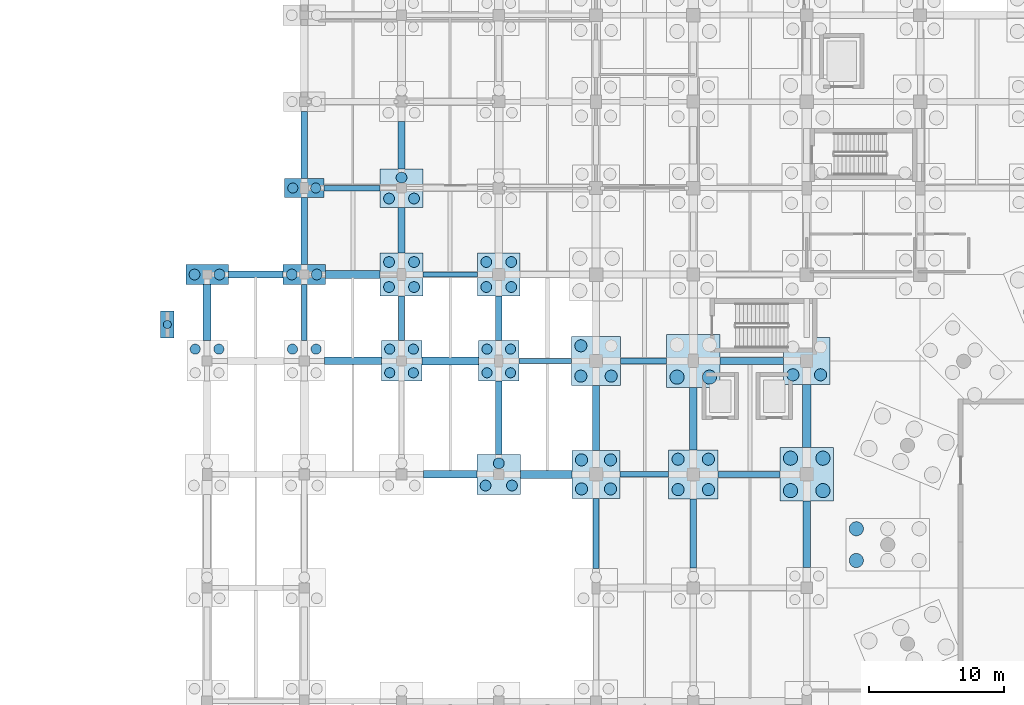
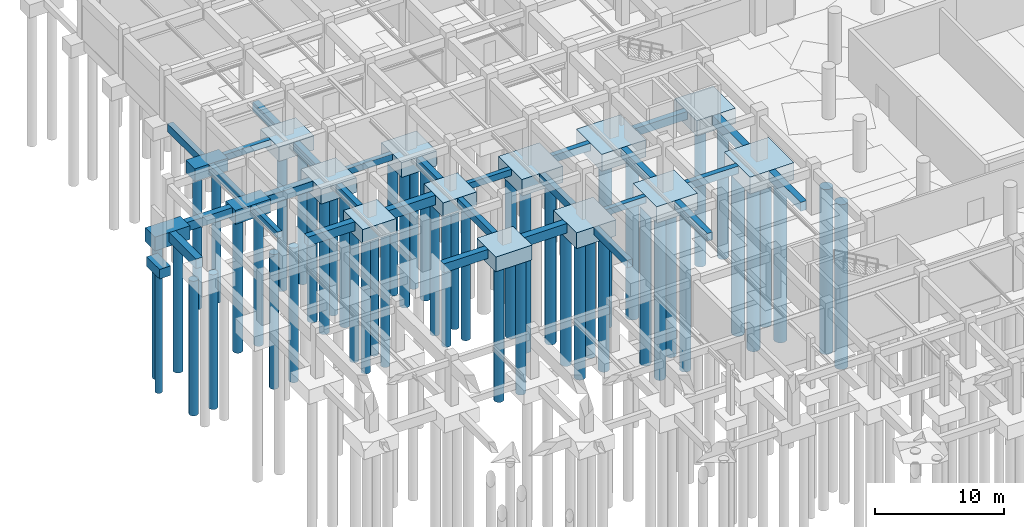
# One storey, part 6 of 44: 54 piles, 44 footings.
"""IFC4 building model written with IfcOpenShell, lengths in metres."""

from ifc_helpers import new_model, si_unit, direction, frame, origin, origin_2d, place, context, subcontext, project, spatial, rectangle, circle, extrude, material, material_profile, profile_set, type_object, element, save


model = new_model("IFC4")

# Units and contexts
model_context = context("Model", 3, precision=1e-05, world=origin(), true_north=direction((0.0, 1.0)))
body_context = subcontext(model_context, "Body", "Model", "MODEL_VIEW")
ifc_project = project(units=[si_unit("LENGTHUNIT", "METRE"), si_unit("AREAUNIT", "SQUARE_METRE"), si_unit("VOLUMEUNIT", "CUBIC_METRE"), si_unit("PLANEANGLEUNIT", "RADIAN"), si_unit("MASSUNIT", "GRAM", prefix="KILO")], contexts=[model_context])

# Site, building, storey
site_placement = place(None, origin())
site = spatial("IfcSite", under=ifc_project, at=site_placement, CompositionType="ELEMENT")
building_placement = place(site_placement, origin())
building = spatial("IfcBuilding", under=site, at=building_placement, Name="Korsvaeld Concert Hall", CompositionType="ELEMENT")
storey_placement = place(building_placement, frame((0.0, 0.0, -4.800048828125)))
storey = spatial("IfcBuildingStorey", under=building, at=storey_placement, Name="B1", CompositionType="ELEMENT", Elevation=-4.800048828125)

# Footings
ifc_material_1 = material(Name="Concrete C35/45", Category="concrete")
ifc_material_profile_1 = material_profile(ifc_material_1, rectangle(XDim=0.39990234375, YDim=0.60009765625, at=origin_2d()), Name="GTB 400x600")
ifc_profile_set_1 = profile_set([ifc_material_profile_1], Name="Concrete C35/45")
footing_type_1 = type_object("IfcFootingType", Name="GTB-400x600", PredefinedType="FOOTING_BEAM", material=ifc_profile_set_1)
footing_1_placement = place(storey_placement, frame((44.97509765625, 68.39990234375, -0.300048828125), z_axis=(1.0, 0.0, 0.0), x_axis=(0.0, 1.0, 0.0)))
element("IfcFooting", 1, at=footing_1_placement, inside=storey, type_object=footing_type_1, Name="Ground tie beam 7-8/K", PredefinedType="FOOTING_BEAM", context=body_context, shape_type="SweptSolid", body=[
    extrude(rectangle(XDim=0.39990234375, YDim=0.60009765625, at=origin_2d()), origin(), (0.0, 0.0, 1.0), 3.599853515625),
])
footing_2_placement = place(storey_placement, frame((37.5, 76.800048828125, -0.300048828125), z_axis=(1.0, 0.0, 0.0), x_axis=(0.0, 1.0, 0.0)))
element("IfcFooting", 2, at=footing_2_placement, inside=storey, type_object=footing_type_1, Name="Ground tie beam 6-7/L", PredefinedType="FOOTING_BEAM", context=body_context, shape_type="SweptSolid", body=[
    extrude(rectangle(XDim=0.39990234375, YDim=0.60009765625, at=origin_2d()), origin(), (0.0, 0.0, 1.0), 3.875),
])
footing_3_placement = place(storey_placement, frame((30.375, 83.199951171875, -0.300048828125), z_axis=(1.0, 0.0, 0.0), x_axis=(0.0, 1.0, 0.0)))
element("IfcFooting", 3, at=footing_3_placement, inside=storey, type_object=footing_type_1, Name="Ground tie beam 5-6/M", PredefinedType="FOOTING_BEAM", context=body_context, shape_type="SweptSolid", body=[
    extrude(rectangle(XDim=0.39990234375, YDim=0.60009765625, at=origin_2d()), origin(), (0.0, 0.0, 1.0), 4.050048828125),
])
footing_4_placement = place(storey_placement, frame((23.074951171875, 89.60009765625, -0.300048828125), z_axis=(1.0, 0.0, 0.0), x_axis=(0.0, 1.0, 0.0)))
element("IfcFooting", 4, at=footing_4_placement, inside=storey, type_object=footing_type_1, Name="Ground tie beam 4-5/N", PredefinedType="FOOTING_BEAM", context=body_context, shape_type="SweptSolid", body=[
    extrude(rectangle(XDim=0.39990234375, YDim=0.60009765625, at=origin_2d()), origin(), (0.0, 0.0, 1.0), 4.150146484375),
])
footing_5_placement = place(storey_placement, frame((21.60009765625, 78.300048828125, -0.300048828125), z_axis=(0.0, 1.0, 0.0), x_axis=(-1.0, 0.0, 0.0)))
element("IfcFooting", 5, at=footing_5_placement, inside=storey, type_object=footing_type_1, Name="Ground tie beam 4/L-M", PredefinedType="FOOTING_BEAM", context=body_context, shape_type="SweptSolid", body=[
    extrude(rectangle(XDim=0.39990234375, YDim=0.60009765625, at=origin_2d()), origin(), (0.0, 0.0, 1.0), 4.14990234375),
])
ifc_material_profile_2 = material_profile(ifc_material_1, rectangle(XDim=0.449951171875, YDim=0.699951171875, at=origin_2d()), Name="GTB 450x700")
ifc_profile_set_2 = profile_set([ifc_material_profile_2], Name="Concrete C35/45")
footing_type_2 = type_object("IfcFootingType", Name="GTB-450x700", PredefinedType="FOOTING_BEAM", material=ifc_profile_set_2)
footing_6_placement = place(storey_placement, frame((52.22509765625, 68.39990234375, -0.349853515625), z_axis=(1.0, 0.0, 0.0), x_axis=(0.0, 1.0, 0.0)))
element("IfcFooting", 6, at=footing_6_placement, inside=storey, type_object=footing_type_2, Name="Ground tie beam 8-9/K", PredefinedType="FOOTING_BEAM", context=body_context, shape_type="SweptSolid", body=[
    extrude(rectangle(XDim=0.449951171875, YDim=0.699951171875, at=origin_2d()), origin(), (0.0, 0.0, 1.0), 4.599853515625),
])
footing_7_placement = place(storey_placement, frame((45.02490234375, 76.800048828125, -0.349853515625), z_axis=(1.0, 0.0, 0.0), x_axis=(0.0, 1.0, 0.0)))
element("IfcFooting", 7, at=footing_7_placement, inside=storey, type_object=footing_type_2, Name="Ground tie beam 7-8/L", PredefinedType="FOOTING_BEAM", context=body_context, shape_type="SweptSolid", body=[
    extrude(rectangle(XDim=0.449951171875, YDim=0.699951171875, at=origin_2d()), origin(), (0.0, 0.0, 1.0), 3.400146484375),
])
footing_8_placement = place(storey_placement, frame((21.60009765625, 83.949951171875, -0.349853515625), z_axis=(0.0, 1.0, 0.0), x_axis=(-1.0, 0.0, 0.0)))
element("IfcFooting", 8, at=footing_8_placement, inside=storey, type_object=footing_type_2, Name="Ground tie beam 4/M-N", PredefinedType="FOOTING_BEAM", context=body_context, shape_type="SweptSolid", body=[
    extrude(rectangle(XDim=0.449951171875, YDim=0.699951171875, at=origin_2d()), origin(), (0.0, 0.0, 1.0), 4.949951171875),
])
footing_9_placement = place(storey_placement, frame((28.800048828125, 78.300048828125, -0.349853515625), z_axis=(0.0, 1.0, 0.0), x_axis=(-1.0, 0.0, 0.0)))
element("IfcFooting", 9, at=footing_9_placement, inside=storey, type_object=footing_type_2, Name="Ground tie beam 5/L-M", PredefinedType="FOOTING_BEAM", context=body_context, shape_type="SweptSolid", body=[
    extrude(rectangle(XDim=0.449951171875, YDim=0.699951171875, at=origin_2d()), origin(), (0.0, 0.0, 1.0), 3.324951171875),
])
footing_10_placement = place(storey_placement, frame((36.0, 69.875, -0.349853515625), z_axis=(0.0, 1.0, 0.0), x_axis=(-1.0, 0.0, 0.0)))
element("IfcFooting", 10, at=footing_10_placement, inside=storey, type_object=footing_type_2, Name="Ground tie beam 6/K-L", PredefinedType="FOOTING_BEAM", context=body_context, shape_type="SweptSolid", body=[
    extrude(rectangle(XDim=0.449951171875, YDim=0.699951171875, at=origin_2d()), origin(), (0.0, 0.0, 1.0), 5.425048828125),
])
footing_11_placement = place(storey_placement, frame((43.199951171875, 61.425048828125, -0.349853515625), z_axis=(0.0, 1.0, 0.0), x_axis=(-1.0, 0.0, 0.0)))
element("IfcFooting", 11, at=footing_11_placement, inside=storey, type_object=footing_type_2, Name="Ground tie beam 7/J-K", PredefinedType="FOOTING_BEAM", context=body_context, shape_type="SweptSolid", body=[
    extrude(rectangle(XDim=0.449951171875, YDim=0.699951171875, at=origin_2d()), origin(), (0.0, 0.0, 1.0), 5.199951171875),
])
ifc_material_profile_3 = material_profile(ifc_material_1, rectangle(XDim=0.5, YDim=0.75, at=origin_2d()), Name="GTB 500x750")
ifc_profile_set_3 = profile_set([ifc_material_profile_3], Name="Concrete C35/45")
footing_type_3 = type_object("IfcFootingType", Name="GTB-500x750", PredefinedType="FOOTING_BEAM", material=ifc_profile_set_3)
footing_12_placement = place(storey_placement, frame((52.375, 76.800048828125, -0.375), z_axis=(1.0, 0.0, 0.0), x_axis=(0.0, 1.0, 0.0)))
element("IfcFooting", 12, at=footing_12_placement, inside=storey, type_object=footing_type_3, Name="Ground tie beam 8-9/L", PredefinedType="FOOTING_BEAM", context=body_context, shape_type="SweptSolid", body=[
    extrude(rectangle(XDim=0.5, YDim=0.75, at=origin_2d()), origin(), (0.0, 0.0, 1.0), 4.699951171875),
])
footing_13_placement = place(storey_placement, frame((21.60009765625, 90.300048828125, -0.375), z_axis=(0.0, 1.0, 0.0), x_axis=(-1.0, 0.0, 0.0)))
element("IfcFooting", 13, at=footing_13_placement, inside=storey, type_object=footing_type_3, Name="Ground tie beam 4/N-P", PredefinedType="FOOTING_BEAM", context=body_context, shape_type="SweptSolid", body=[
    extrude(rectangle(XDim=0.5, YDim=0.75, at=origin_2d()), origin(), (0.0, 0.0, 1.0), 4.974853515625),
])
footing_14_placement = place(storey_placement, frame((28.800048828125, 84.77490234375, -0.375), z_axis=(0.0, 1.0, 0.0), x_axis=(-1.0, 0.0, 0.0)))
element("IfcFooting", 14, at=footing_14_placement, inside=storey, type_object=footing_type_3, Name="Ground tie beam 5/M-N", PredefinedType="FOOTING_BEAM", context=body_context, shape_type="SweptSolid", body=[
    extrude(rectangle(XDim=0.5, YDim=0.75, at=origin_2d()), origin(), (0.0, 0.0, 1.0), 3.400146484375),
])
footing_15_placement = place(storey_placement, frame((36.0, 78.300048828125, -0.375), z_axis=(0.0, 1.0, 0.0), x_axis=(-1.0, 0.0, 0.0)))
element("IfcFooting", 15, at=footing_15_placement, inside=storey, type_object=footing_type_3, Name="Ground tie beam 6/L-M", PredefinedType="FOOTING_BEAM", context=body_context, shape_type="SweptSolid", body=[
    extrude(rectangle(XDim=0.5, YDim=0.75, at=origin_2d()), origin(), (0.0, 0.0, 1.0), 3.324951171875),
])
footing_16_placement = place(storey_placement, frame((43.199951171875, 70.175048828125, -0.375), z_axis=(0.0, 1.0, 0.0), x_axis=(-1.0, 0.0, 0.0)))
element("IfcFooting", 16, at=footing_16_placement, inside=storey, type_object=footing_type_3, Name="Ground tie beam 7/K-L", PredefinedType="FOOTING_BEAM", context=body_context, shape_type="SweptSolid", body=[
    extrude(rectangle(XDim=0.5, YDim=0.75, at=origin_2d()), origin(), (0.0, 0.0, 1.0), 4.800048828125),
])
footing_17_placement = place(storey_placement, frame((50.39990234375, 61.47509765625, -0.375), z_axis=(0.0, 1.0, 0.0), x_axis=(-1.0, 0.0, 0.0)))
element("IfcFooting", 17, at=footing_17_placement, inside=storey, type_object=footing_type_3, Name="Ground tie beam 8/J-K", PredefinedType="FOOTING_BEAM", context=body_context, shape_type="SweptSolid", body=[
    extrude(rectangle(XDim=0.5, YDim=0.75, at=origin_2d()), origin(), (0.0, 0.0, 1.0), 5.099853515625),
])
ifc_material_profile_4 = material_profile(ifc_material_1, rectangle(XDim=0.550048828125, YDim=0.85009765625, at=origin_2d()), Name="GTB 550x850")
ifc_profile_set_4 = profile_set([ifc_material_profile_4], Name="Concrete C35/45")
footing_type_4 = type_object("IfcFootingType", Name="GTB-550x850", PredefinedType="FOOTING_BEAM", material=ifc_profile_set_4)
footing_18_placement = place(storey_placement, frame((30.425048828125, 68.39990234375, -0.425048828125), z_axis=(1.0, 0.0, 0.0), x_axis=(0.0, 1.0, 0.0)))
element("IfcFooting", 18, at=footing_18_placement, inside=storey, type_object=footing_type_4, Name="Ground tie beam 5-6/K", PredefinedType="FOOTING_BEAM", context=body_context, shape_type="SweptSolid", body=[
    extrude(rectangle(XDim=0.550048828125, YDim=0.85009765625, at=origin_2d()), origin(), (0.0, 0.0, 1.0), 3.949951171875),
])
footing_19_placement = place(storey_placement, frame((23.10009765625, 76.800048828125, -0.425048828125), z_axis=(1.0, 0.0, 0.0), x_axis=(0.0, 1.0, 0.0)))
element("IfcFooting", 19, at=footing_19_placement, inside=storey, type_object=footing_type_4, Name="Ground tie beam 4-5/L", PredefinedType="FOOTING_BEAM", context=body_context, shape_type="SweptSolid", body=[
    extrude(rectangle(XDim=0.550048828125, YDim=0.85009765625, at=origin_2d()), origin(), (0.0, 0.0, 1.0), 4.199951171875),
])
footing_20_placement = place(storey_placement, frame((15.97509765625, 83.199951171875, -0.425048828125), z_axis=(1.0, 0.0, 0.0), x_axis=(0.0, 1.0, 0.0)))
element("IfcFooting", 20, at=footing_20_placement, inside=storey, type_object=footing_type_4, Name="Ground tie beam 3-4/M", PredefinedType="FOOTING_BEAM", context=body_context, shape_type="SweptSolid", body=[
    extrude(rectangle(XDim=0.550048828125, YDim=0.85009765625, at=origin_2d()), origin(), (0.0, 0.0, 1.0), 4.0498046875),
])
footing_21_placement = place(storey_placement, frame((28.800048828125, 91.02490234375, -0.425048828125), z_axis=(0.0, 1.0, 0.0), x_axis=(-1.0, 0.0, 0.0)))
element("IfcFooting", 21, at=footing_21_placement, inside=storey, type_object=footing_type_4, Name="Ground tie beam 5/N-P", PredefinedType="FOOTING_BEAM", context=body_context, shape_type="SweptSolid", body=[
    extrude(rectangle(XDim=0.550048828125, YDim=0.85009765625, at=origin_2d()), origin(), (0.0, 0.0, 1.0), 3.5),
])
footing_22_placement = place(storey_placement, frame((50.39990234375, 70.22509765625, -0.425048828125), z_axis=(0.0, 1.0, 0.0), x_axis=(-1.0, 0.0, 0.0)))
element("IfcFooting", 22, at=footing_22_placement, inside=storey, type_object=footing_type_4, Name="Ground tie beam 8/K-L", PredefinedType="FOOTING_BEAM", context=body_context, shape_type="SweptSolid", body=[
    extrude(rectangle(XDim=0.550048828125, YDim=0.85009765625, at=origin_2d()), origin(), (0.0, 0.0, 1.0), 4.599853515625),
])
footing_23_placement = place(storey_placement, frame((58.800048828125, 61.5, -0.425048828125), z_axis=(0.0, 1.0, 0.0), x_axis=(-1.0, 0.0, 0.0)))
element("IfcFooting", 23, at=footing_23_placement, inside=storey, type_object=footing_type_4, Name="Ground tie beam 9/J-K", PredefinedType="FOOTING_BEAM", context=body_context, shape_type="SweptSolid", body=[
    extrude(rectangle(XDim=0.550048828125, YDim=0.85009765625, at=origin_2d()), origin(), (0.0, 0.0, 1.0), 4.925048828125),
])
ifc_material_profile_5 = material_profile(ifc_material_1, rectangle(XDim=0.60009765625, YDim=0.89990234375, at=origin_2d()), Name="GTB 600x900")
ifc_profile_set_5 = profile_set([ifc_material_profile_5], Name="Concrete C35/45")
footing_type_5 = type_object("IfcFootingType", Name="GTB-600x900", PredefinedType="FOOTING_BEAM", material=ifc_profile_set_5)
footing_24_placement = place(storey_placement, frame((37.625, 68.39990234375, -0.449951171875), z_axis=(1.0, 0.0, 0.0), x_axis=(0.0, 1.0, 0.0)))
element("IfcFooting", 24, at=footing_24_placement, inside=storey, type_object=footing_type_5, Name="Ground tie beam 6-7/K", PredefinedType="FOOTING_BEAM", context=body_context, shape_type="SweptSolid", body=[
    extrude(rectangle(XDim=0.60009765625, YDim=0.89990234375, at=origin_2d()), origin(), (0.0, 0.0, 1.0), 3.800048828125),
])
footing_25_placement = place(storey_placement, frame((30.300048828125, 76.800048828125, -0.449951171875), z_axis=(1.0, 0.0, 0.0), x_axis=(0.0, 1.0, 0.0)))
element("IfcFooting", 25, at=footing_25_placement, inside=storey, type_object=footing_type_5, Name="Ground tie beam 5-6/L", PredefinedType="FOOTING_BEAM", context=body_context, shape_type="SweptSolid", body=[
    extrude(rectangle(XDim=0.60009765625, YDim=0.89990234375, at=origin_2d()), origin(), (0.0, 0.0, 1.0), 4.199951171875),
])
footing_26_placement = place(storey_placement, frame((23.175048828125, 83.199951171875, -0.449951171875), z_axis=(1.0, 0.0, 0.0), x_axis=(0.0, 1.0, 0.0)))
element("IfcFooting", 26, at=footing_26_placement, inside=storey, type_object=footing_type_5, Name="Ground tie beam 4-5/M", PredefinedType="FOOTING_BEAM", context=body_context, shape_type="SweptSolid", body=[
    extrude(rectangle(XDim=0.60009765625, YDim=0.89990234375, at=origin_2d()), origin(), (0.0, 0.0, 1.0), 4.050048828125),
])
footing_27_placement = place(storey_placement, frame((14.39990234375, 78.300048828125, -0.449951171875), z_axis=(0.0, 1.0, 0.0), x_axis=(-1.0, 0.0, 0.0)))
element("IfcFooting", 27, at=footing_27_placement, inside=storey, type_object=footing_type_5, Name="Ground tie beam 3/L-M", PredefinedType="FOOTING_BEAM", context=body_context, shape_type="SweptSolid", body=[
    extrude(rectangle(XDim=0.60009765625, YDim=0.89990234375, at=origin_2d()), origin(), (0.0, 0.0, 1.0), 4.14990234375),
])
footing_28_placement = place(storey_placement, frame((58.800048828125, 70.375, -0.449951171875), z_axis=(0.0, 1.0, 0.0), x_axis=(-1.0, 0.0, 0.0)))
element("IfcFooting", 28, at=footing_28_placement, inside=storey, type_object=footing_type_5, Name="Ground tie beam 9/K-L", PredefinedType="FOOTING_BEAM", context=body_context, shape_type="SweptSolid", body=[
    extrude(rectangle(XDim=0.60009765625, YDim=0.89990234375, at=origin_2d()), origin(), (0.0, 0.0, 1.0), 4.699951171875),
])
footing_type_6 = type_object("IfcFootingType", Name="PC-2P-240x130x120", PredefinedType="PILE_CAP", material=ifc_material_1)
footing_29_placement = place(storey_placement, frame((21.60009765625, 89.60009765625, -1.19970703125), z_axis=(0.0, 0.0, 1.0), x_axis=(1.0, 0.0, 0.0)))
element("IfcFooting", 29, at=footing_29_placement, inside=storey, type_object=footing_type_6, Name="Pile cap 4/N", PredefinedType="PILE_CAP", context=body_context, shape_type="SweptSolid", body=[
    extrude(rectangle(XDim=2.949951171875, YDim=1.39990234375, at=origin_2d()), origin(), (0.0, 0.0, 1.0), 1.199951171875),
])
footing_type_7 = type_object("IfcFootingType", Name="PC-2P-280x150x130", PredefinedType="PILE_CAP", material=ifc_material_1)
for number, where, z_axis, x_axis, name in (
    (30, (14.39990234375, 83.199951171875, -1.2998046875), (0.0, 0.0, 1.0), (1.0, 0.0, 0.0), "Pile cap 3/M"),
    (31, (21.60009765625, 83.199951171875, -1.2998046875), (0.0, 0.0, 1.0), (1.0, 0.0, 0.0), "Pile cap 4/M"),
):
    element("IfcFooting", number, at=place(storey_placement, frame(where, z_axis=z_axis, x_axis=x_axis)), inside=storey, type_object=footing_type_7, Name=name, PredefinedType="PILE_CAP", context=body_context, shape_type="SweptSolid", body=[
        extrude(rectangle(XDim=3.14990234375, YDim=1.5, at=origin_2d()), origin(), (0.0, 0.0, 1.0), 1.300048828125),
    ])
footing_type_8 = type_object("IfcFootingType", Name="PC-3P-290x260x135", PredefinedType="PILE_CAP", material=ifc_material_1)
footing_30_placement = place(storey_placement, frame((28.800048828125, 89.60009765625, -1.35009765625), z_axis=(0.0, 0.0, 1.0), x_axis=(1.0, 0.0, 0.0)))
element("IfcFooting", 32, at=footing_30_placement, inside=storey, type_object=footing_type_8, Name="Pile cap 5/N", PredefinedType="PILE_CAP", context=body_context, shape_type="SweptSolid", body=[
    extrude(rectangle(XDim=3.14990234375, YDim=2.85009765625, at=origin_2d()), origin(), (0.0, 0.0, 1.0), 1.35009765625),
])
footing_type_9 = type_object("IfcFootingType", Name="PC-3P-310x280x140", PredefinedType="PILE_CAP", material=ifc_material_1)
footing_31_placement = place(storey_placement, frame((36.0, 68.39990234375, -1.39990234375), z_axis=(0.0, 0.0, 1.0), x_axis=(1.0, 0.0, 0.0)))
element("IfcFooting", 33, at=footing_31_placement, inside=storey, type_object=footing_type_9, Name="Pile cap 6/K", PredefinedType="PILE_CAP", context=body_context, shape_type="SweptSolid", body=[
    extrude(rectangle(XDim=3.25, YDim=2.949951171875, at=origin_2d()), origin(), (0.0, 0.0, 1.0), 1.39990234375),
])
footing_type_10 = type_object("IfcFootingType", Name="PC-4P-280x280x135", PredefinedType="PILE_CAP", material=ifc_material_1)
for number, where, z_axis, x_axis, name in (
    (34, (28.800048828125, 76.800048828125, -1.35009765625), (0.0, 0.0, 1.0), (1.0, 0.0, 0.0), "Pile cap 5/L"),
    (35, (36.0, 76.800048828125, -1.35009765625), (0.0, 0.0, 1.0), (1.0, 0.0, 0.0), "Pile cap 6/L"),
):
    element("IfcFooting", number, at=place(storey_placement, frame(where, z_axis=z_axis, x_axis=x_axis)), inside=storey, type_object=footing_type_10, Name=name, PredefinedType="PILE_CAP", context=body_context, shape_type="SweptSolid", body=[
        extrude(rectangle(XDim=3.0, YDim=3.0, at=origin_2d()), origin(), (0.0, 0.0, 1.0), 1.35009765625),
    ])
footing_type_11 = type_object("IfcFootingType", Name="PC-4P-300x300x140", PredefinedType="PILE_CAP", material=ifc_material_1)
for number, where, z_axis, x_axis, name in (
    (36, (28.800048828125, 83.199951171875, -1.39990234375), (0.0, 0.0, 1.0), (1.0, 0.0, 0.0), "Pile cap 5/M"),
    (37, (36.0, 83.199951171875, -1.39990234375), (0.0, 0.0, 1.0), (1.0, 0.0, 0.0), "Pile cap 6/M"),
):
    element("IfcFooting", number, at=place(storey_placement, frame(where, z_axis=z_axis, x_axis=x_axis)), inside=storey, type_object=footing_type_11, Name=name, PredefinedType="PILE_CAP", context=body_context, shape_type="SweptSolid", body=[
        extrude(rectangle(XDim=3.14990234375, YDim=3.14990234375, at=origin_2d()), origin(), (0.0, 0.0, 1.0), 1.39990234375),
    ])
footing_type_12 = type_object("IfcFootingType", Name="PC-4P-320x320x145", PredefinedType="PILE_CAP", material=ifc_material_1)
footing_32_placement = place(storey_placement, frame((58.800048828125, 76.800048828125, -1.44970703125), z_axis=(0.0, 0.0, 1.0), x_axis=(1.0, 0.0, 0.0)))
element("IfcFooting", 38, at=footing_32_placement, inside=storey, type_object=footing_type_12, Name="Pile cap 9/L", PredefinedType="PILE_CAP", context=body_context, shape_type="SweptSolid", body=[
    extrude(rectangle(XDim=3.449951171875, YDim=3.449951171875, at=origin_2d()), origin(), (0.0, 0.0, 1.0), 1.449951171875),
])
footing_type_13 = type_object("IfcFootingType", Name="PC-4P-340x340x150", PredefinedType="PILE_CAP", material=ifc_material_1)
footing_33_placement = place(storey_placement, frame((43.199951171875, 68.39990234375, -1.5), z_axis=(0.0, 0.0, 1.0), x_axis=(1.0, 0.0, 0.0)))
element("IfcFooting", 39, at=footing_33_placement, inside=storey, type_object=footing_type_13, Name="Pile cap 7/K", PredefinedType="PILE_CAP", context=body_context, shape_type="SweptSolid", body=[
    extrude(rectangle(XDim=3.550048828125, YDim=3.550048828125, at=origin_2d()), origin(), (0.0, 0.0, 1.0), 1.5),
])
footing_type_14 = type_object("IfcFootingType", Name="PC-4P-360x360x155", PredefinedType="PILE_CAP", material=ifc_material_1)
for number, where, z_axis, x_axis, name in (
    (40, (43.199951171875, 76.800048828125, -1.5498046875), (0.0, 0.0, 1.0), (1.0, 0.0, 0.0), "Pile cap 7/L"),
    (41, (50.39990234375, 68.39990234375, -1.5498046875), (0.0, 0.0, 1.0), (1.0, 0.0, 0.0), "Pile cap 8/K"),
):
    element("IfcFooting", number, at=place(storey_placement, frame(where, z_axis=z_axis, x_axis=x_axis)), inside=storey, type_object=footing_type_14, Name=name, PredefinedType="PILE_CAP", context=body_context, shape_type="SweptSolid", body=[
        extrude(rectangle(XDim=3.64990234375, YDim=3.64990234375, at=origin_2d()), origin(), (0.0, 0.0, 1.0), 1.550048828125),
    ])
footing_type_15 = type_object("IfcFootingType", Name="PC-4P-380x380x160", PredefinedType="PILE_CAP", material=ifc_material_1)
for number, where, z_axis, x_axis, name in (
    (42, (50.39990234375, 76.800048828125, -1.60009765625), (0.0, 0.0, 1.0), (1.0, 0.0, 0.0), "Pile cap 8/L"),
    (43, (58.800048828125, 68.39990234375, -1.60009765625), (0.0, 0.0, 1.0), (1.0, 0.0, 0.0), "Pile cap 9/K"),
):
    element("IfcFooting", number, at=place(storey_placement, frame(where, z_axis=z_axis, x_axis=x_axis)), inside=storey, type_object=footing_type_15, Name=name, PredefinedType="PILE_CAP", context=body_context, shape_type="SweptSolid", body=[
        extrude(rectangle(XDim=3.949951171875, YDim=3.949951171875, at=origin_2d()), origin(), (0.0, 0.0, 1.0), 1.60009765625),
    ])
footing_type_16 = type_object("IfcFootingType", Name="PF-RAMP-200x100x90", PredefinedType="PAD_FOOTING", material=ifc_material_1)
footing_34_placement = place(storey_placement, frame((11.4599609375, 79.5, -0.89990234375), z_axis=(0.0, 0.0, 1.0), x_axis=(0.0, 1.0, 0.0)))
element("IfcFooting", 44, at=footing_34_placement, inside=storey, type_object=footing_type_16, Name="Ramp toe foundation RMP-W1", PredefinedType="PAD_FOOTING", context=body_context, shape_type="SweptSolid", body=[
    extrude(rectangle(XDim=2.0, YDim=1.0, at=origin_2d()), origin(), (0.0, 0.0, 1.0), 0.89990234375),
])

# Piles
ifc_material_2 = material(Name="Concrete C40/50", Category="concrete")
ifc_material_profile_6 = material_profile(ifc_material_2, circle(Radius=0.52490234375, at=origin_2d()), Name="BORED PILE D1050")
ifc_profile_set_6 = profile_set([ifc_material_profile_6], Name="Concrete C40/50")
pile_type_1 = type_object("IfcPileType", Name="PILE-D1050", PredefinedType="BORED", material=ifc_profile_set_6)
for number, where, z_axis, x_axis, name in (
    (45, (49.199951171875, 75.60009765625, -1.5), (0.0, 0.0, -1.0), (1.0, 0.0, 0.0), "Bored pile 8/L-1"),
    (46, (51.60009765625, 75.60009765625, -1.5), (0.0, 0.0, -1.0), (1.0, 0.0, 0.0), "Bored pile 8/L-2"),
    (47, (57.60009765625, 67.199951171875, -1.5), (0.0, 0.0, -1.0), (1.0, 0.0, 0.0), "Bored pile 9/K-1"),
    (48, (60.0, 67.199951171875, -1.5), (0.0, 0.0, -1.0), (1.0, 0.0, 0.0), "Bored pile 9/K-2"),
    (49, (57.60009765625, 69.60009765625, -1.5), (0.0, 0.0, -1.0), (1.0, 0.0, 0.0), "Bored pile 9/K-3"),
    (50, (60.0, 69.60009765625, -1.5), (0.0, 0.0, -1.0), (1.0, 0.0, 0.0), "Bored pile 9/K-4"),
):
    element("IfcPile", number, at=place(storey_placement, frame(where, z_axis=z_axis, x_axis=x_axis)), inside=storey, type_object=pile_type_1, Name=name, PredefinedType="BORED", context=body_context, shape_type="SweptSolid", body=[
        extrude(circle(Radius=0.52490234375, at=origin_2d()), origin(), (0.0, 0.0, 1.0), 15.39990234375),
    ])
for number, where, z_axis, x_axis, name in (
    (51, (62.47509765625, 64.375, -1.550048828125), (0.0, 0.0, -1.0), (1.0, 0.0, 0.0), "Drum bored pile D09-3"),
    (52, (62.47509765625, 62.02490234375, -1.550048828125), (0.0, 0.0, -1.0), (1.0, 0.0, 0.0), "Drum bored pile D09-6"),
):
    element("IfcPile", number, at=place(storey_placement, frame(where, z_axis=z_axis, x_axis=x_axis)), inside=storey, type_object=pile_type_1, Name=name, PredefinedType="BORED", context=body_context, shape_type="SweptSolid", body=[
        extrude(circle(Radius=0.52490234375, at=origin_2d()), origin(), (0.0, 0.0, 1.0), 15.60009765625),
    ])
ifc_material_profile_7 = material_profile(ifc_material_1, circle(Radius=0.300048828125, at=origin_2d()), Name="BORED PILE D600")
ifc_profile_set_7 = profile_set([ifc_material_profile_7], Name="Concrete C35/45")
pile_type_2 = type_object("IfcPileType", Name="PILE-D600", PredefinedType="BORED", material=ifc_profile_set_7)
pile_placement = place(storey_placement, frame((11.4599609375, 79.5, -0.800048828125), z_axis=(0.0, 0.0, -1.0), x_axis=(1.0, 0.0, 0.0)))
element("IfcPile", 53, at=pile_placement, inside=storey, type_object=pile_type_2, Name="Ramp toe bored pile RMP-W1", PredefinedType="BORED", context=body_context, shape_type="SweptSolid", body=[
    extrude(circle(Radius=0.300048828125, at=origin_2d()), origin(), (0.0, 0.0, 1.0), 11.5),
])
ifc_material_profile_8 = material_profile(ifc_material_1, circle(Radius=0.375, at=origin_2d()), Name="BORED PILE D750")
ifc_profile_set_8 = profile_set([ifc_material_profile_8], Name="Concrete C35/45")
pile_type_3 = type_object("IfcPileType", Name="PILE-D750", PredefinedType="BORED", material=ifc_profile_set_8)
for number, where, z_axis, x_axis, name in (
    (54, (13.52490234375, 77.675048828125, -1.25), (0.0, 0.0, -1.0), (1.0, 0.0, 0.0), "Bored pile 3/L-3"),
    (55, (15.27490234375, 77.675048828125, -1.25), (0.0, 0.0, -1.0), (1.0, 0.0, 0.0), "Bored pile 3/L-4"),
    (56, (20.72509765625, 77.675048828125, -1.25), (0.0, 0.0, -1.0), (1.0, 0.0, 0.0), "Bored pile 4/L-3"),
    (57, (22.47509765625, 77.675048828125, -1.25), (0.0, 0.0, -1.0), (1.0, 0.0, 0.0), "Bored pile 4/L-4"),
):
    element("IfcPile", number, at=place(storey_placement, frame(where, z_axis=z_axis, x_axis=x_axis)), inside=storey, type_object=pile_type_3, Name=name, PredefinedType="BORED", context=body_context, shape_type="SweptSolid", body=[
        extrude(circle(Radius=0.375, at=origin_2d()), origin(), (0.0, 0.0, 1.0), 12.75),
    ])
for number, where, z_axis, x_axis, name in (
    (58, (20.75, 89.60009765625, -1.099853515625), (0.0, 0.0, -1.0), (1.0, 0.0, 0.0), "Bored pile 4/N-1"),
    (59, (22.449951171875, 89.60009765625, -1.099853515625), (0.0, 0.0, -1.0), (1.0, 0.0, 0.0), "Bored pile 4/N-2"),
):
    element("IfcPile", number, at=place(storey_placement, frame(where, z_axis=z_axis, x_axis=x_axis)), inside=storey, type_object=pile_type_3, Name=name, PredefinedType="BORED", context=body_context, shape_type="SweptSolid", body=[
        extrude(circle(Radius=0.375, at=origin_2d()), origin(), (0.0, 0.0, 1.0), 12.60009765625),
    ])
for number, where, z_axis, x_axis, name in (
    (60, (27.925048828125, 75.925048828125, -1.25), (0.0, 0.0, -1.0), (1.0, 0.0, 0.0), "Bored pile 5/L-1"),
    (61, (29.675048828125, 75.925048828125, -1.25), (0.0, 0.0, -1.0), (1.0, 0.0, 0.0), "Bored pile 5/L-2"),
    (62, (27.925048828125, 77.675048828125, -1.25), (0.0, 0.0, -1.0), (1.0, 0.0, 0.0), "Bored pile 5/L-3"),
    (63, (29.675048828125, 77.675048828125, -1.25), (0.0, 0.0, -1.0), (1.0, 0.0, 0.0), "Bored pile 5/L-4"),
    (64, (35.125, 75.925048828125, -1.25), (0.0, 0.0, -1.0), (1.0, 0.0, 0.0), "Bored pile 6/L-1"),
    (65, (36.875, 75.925048828125, -1.25), (0.0, 0.0, -1.0), (1.0, 0.0, 0.0), "Bored pile 6/L-2"),
    (66, (35.125, 77.675048828125, -1.25), (0.0, 0.0, -1.0), (1.0, 0.0, 0.0), "Bored pile 6/L-3"),
    (67, (36.875, 77.675048828125, -1.25), (0.0, 0.0, -1.0), (1.0, 0.0, 0.0), "Bored pile 6/L-4"),
):
    element("IfcPile", number, at=place(storey_placement, frame(where, z_axis=z_axis, x_axis=x_axis)), inside=storey, type_object=pile_type_3, Name=name, PredefinedType="BORED", context=body_context, shape_type="SweptSolid", body=[
        extrude(circle(Radius=0.375, at=origin_2d()), origin(), (0.0, 0.0, 1.0), 12.75),
    ])
ifc_material_profile_9 = material_profile(ifc_material_1, circle(Radius=0.39990234375, at=origin_2d()), Name="BORED PILE D800")
ifc_profile_set_9 = profile_set([ifc_material_profile_9], Name="Concrete C35/45")
pile_type_4 = type_object("IfcPileType", Name="PILE-D800", PredefinedType="BORED", material=ifc_profile_set_9)
for number, where, z_axis, x_axis, name in (
    (68, (13.47509765625, 83.199951171875, -1.199951171875), (0.0, 0.0, -1.0), (1.0, 0.0, 0.0), "Bored pile 3/M-1"),
    (69, (15.324951171875, 83.199951171875, -1.199951171875), (0.0, 0.0, -1.0), (1.0, 0.0, 0.0), "Bored pile 3/M-2"),
    (70, (20.675048828125, 83.199951171875, -1.199951171875), (0.0, 0.0, -1.0), (1.0, 0.0, 0.0), "Bored pile 4/M-1"),
    (71, (22.52490234375, 83.199951171875, -1.199951171875), (0.0, 0.0, -1.0), (1.0, 0.0, 0.0), "Bored pile 4/M-2"),
):
    element("IfcPile", number, at=place(storey_placement, frame(where, z_axis=z_axis, x_axis=x_axis)), inside=storey, type_object=pile_type_4, Name=name, PredefinedType="BORED", context=body_context, shape_type="SweptSolid", body=[
        extrude(circle(Radius=0.39990234375, at=origin_2d()), origin(), (0.0, 0.0, 1.0), 12.699951171875),
    ])
for number, where, z_axis, x_axis, name in (
    (72, (27.875, 82.27490234375, -1.300048828125), (0.0, 0.0, -1.0), (1.0, 0.0, 0.0), "Bored pile 5/M-1"),
    (73, (29.72509765625, 82.27490234375, -1.300048828125), (0.0, 0.0, -1.0), (1.0, 0.0, 0.0), "Bored pile 5/M-2"),
    (74, (27.875, 84.125, -1.300048828125), (0.0, 0.0, -1.0), (1.0, 0.0, 0.0), "Bored pile 5/M-3"),
    (75, (29.72509765625, 84.125, -1.300048828125), (0.0, 0.0, -1.0), (1.0, 0.0, 0.0), "Bored pile 5/M-4"),
):
    element("IfcPile", number, at=place(storey_placement, frame(where, z_axis=z_axis, x_axis=x_axis)), inside=storey, type_object=pile_type_4, Name=name, PredefinedType="BORED", context=body_context, shape_type="SweptSolid", body=[
        extrude(circle(Radius=0.39990234375, at=origin_2d()), origin(), (0.0, 0.0, 1.0), 12.800048828125),
    ])
for number, where, z_axis, x_axis, name in (
    (76, (27.875, 88.824951171875, -1.25), (0.0, 0.0, -1.0), (1.0, 0.0, 0.0), "Bored pile 5/N-1"),
    (77, (29.72509765625, 88.824951171875, -1.25), (0.0, 0.0, -1.0), (1.0, 0.0, 0.0), "Bored pile 5/N-2"),
    (78, (28.800048828125, 90.375, -1.25), (0.0, 0.0, -1.0), (1.0, 0.0, 0.0), "Bored pile 5/N-3"),
):
    element("IfcPile", number, at=place(storey_placement, frame(where, z_axis=z_axis, x_axis=x_axis)), inside=storey, type_object=pile_type_4, Name=name, PredefinedType="BORED", context=body_context, shape_type="SweptSolid", body=[
        extrude(circle(Radius=0.39990234375, at=origin_2d()), origin(), (0.0, 0.0, 1.0), 12.75),
    ])
for number, where, z_axis, x_axis, name in (
    (79, (35.02490234375, 67.574951171875, -1.300048828125), (0.0, 0.0, -1.0), (1.0, 0.0, 0.0), "Bored pile 6/K-1"),
    (80, (36.97509765625, 67.574951171875, -1.300048828125), (0.0, 0.0, -1.0), (1.0, 0.0, 0.0), "Bored pile 6/K-2"),
    (81, (36.0, 69.22509765625, -1.300048828125), (0.0, 0.0, -1.0), (1.0, 0.0, 0.0), "Bored pile 6/K-3"),
    (82, (35.074951171875, 82.27490234375, -1.300048828125), (0.0, 0.0, -1.0), (1.0, 0.0, 0.0), "Bored pile 6/M-1"),
    (83, (36.925048828125, 82.27490234375, -1.300048828125), (0.0, 0.0, -1.0), (1.0, 0.0, 0.0), "Bored pile 6/M-2"),
    (84, (35.074951171875, 84.125, -1.300048828125), (0.0, 0.0, -1.0), (1.0, 0.0, 0.0), "Bored pile 6/M-3"),
    (85, (36.925048828125, 84.125, -1.300048828125), (0.0, 0.0, -1.0), (1.0, 0.0, 0.0), "Bored pile 6/M-4"),
):
    element("IfcPile", number, at=place(storey_placement, frame(where, z_axis=z_axis, x_axis=x_axis)), inside=storey, type_object=pile_type_4, Name=name, PredefinedType="BORED", context=body_context, shape_type="SweptSolid", body=[
        extrude(circle(Radius=0.39990234375, at=origin_2d()), origin(), (0.0, 0.0, 1.0), 12.800048828125),
    ])
ifc_material_profile_10 = material_profile(ifc_material_1, circle(Radius=0.449951171875, at=origin_2d()), Name="BORED PILE D900")
ifc_profile_set_10 = profile_set([ifc_material_profile_10], Name="Concrete C35/45")
pile_type_5 = type_object("IfcPileType", Name="PILE-D900", PredefinedType="BORED", material=ifc_profile_set_10)
for number, where, z_axis, x_axis, name in (
    (86, (42.125, 67.324951171875, -1.39990234375), (0.0, 0.0, -1.0), (1.0, 0.0, 0.0), "Bored pile 7/K-1"),
    (87, (44.27490234375, 67.324951171875, -1.39990234375), (0.0, 0.0, -1.0), (1.0, 0.0, 0.0), "Bored pile 7/K-2"),
    (88, (42.125, 69.47509765625, -1.39990234375), (0.0, 0.0, -1.0), (1.0, 0.0, 0.0), "Bored pile 7/K-3"),
    (89, (44.27490234375, 69.47509765625, -1.39990234375), (0.0, 0.0, -1.0), (1.0, 0.0, 0.0), "Bored pile 7/K-4"),
):
    element("IfcPile", number, at=place(storey_placement, frame(where, z_axis=z_axis, x_axis=x_axis)), inside=storey, type_object=pile_type_5, Name=name, PredefinedType="BORED", context=body_context, shape_type="SweptSolid", body=[
        extrude(circle(Radius=0.449951171875, at=origin_2d()), origin(), (0.0, 0.0, 1.0), 12.89990234375),
    ])
for number, where, z_axis, x_axis, name in (
    (90, (42.074951171875, 75.675048828125, -1.449951171875), (0.0, 0.0, -1.0), (1.0, 0.0, 0.0), "Bored pile 7/L-1"),
    (91, (44.324951171875, 75.675048828125, -1.449951171875), (0.0, 0.0, -1.0), (1.0, 0.0, 0.0), "Bored pile 7/L-2"),
    (92, (42.074951171875, 77.925048828125, -1.449951171875), (0.0, 0.0, -1.0), (1.0, 0.0, 0.0), "Bored pile 7/L-3"),
    (93, (49.27490234375, 67.27490234375, -1.449951171875), (0.0, 0.0, -1.0), (1.0, 0.0, 0.0), "Bored pile 8/K-1"),
    (94, (51.52490234375, 67.27490234375, -1.449951171875), (0.0, 0.0, -1.0), (1.0, 0.0, 0.0), "Bored pile 8/K-2"),
    (95, (49.27490234375, 69.52490234375, -1.449951171875), (0.0, 0.0, -1.0), (1.0, 0.0, 0.0), "Bored pile 8/K-3"),
    (96, (51.52490234375, 69.52490234375, -1.449951171875), (0.0, 0.0, -1.0), (1.0, 0.0, 0.0), "Bored pile 8/K-4"),
):
    element("IfcPile", number, at=place(storey_placement, frame(where, z_axis=z_axis, x_axis=x_axis)), inside=storey, type_object=pile_type_5, Name=name, PredefinedType="BORED", context=body_context, shape_type="SweptSolid", body=[
        extrude(circle(Radius=0.449951171875, at=origin_2d()), origin(), (0.0, 0.0, 1.0), 15.35009765625),
    ])
for number, where, z_axis, x_axis, name in (
    (97, (57.77490234375, 75.77490234375, -1.349853515625), (0.0, 0.0, -1.0), (1.0, 0.0, 0.0), "Bored pile 9/L-1"),
    (98, (59.824951171875, 75.77490234375, -1.349853515625), (0.0, 0.0, -1.0), (1.0, 0.0, 0.0), "Bored pile 9/L-2"),
):
    element("IfcPile", number, at=place(storey_placement, frame(where, z_axis=z_axis, x_axis=x_axis)), inside=storey, type_object=pile_type_5, Name=name, PredefinedType="BORED", context=body_context, shape_type="SweptSolid", body=[
        extrude(circle(Radius=0.449951171875, at=origin_2d()), origin(), (0.0, 0.0, 1.0), 12.85009765625),
    ])

save(model, "model.ifc")
